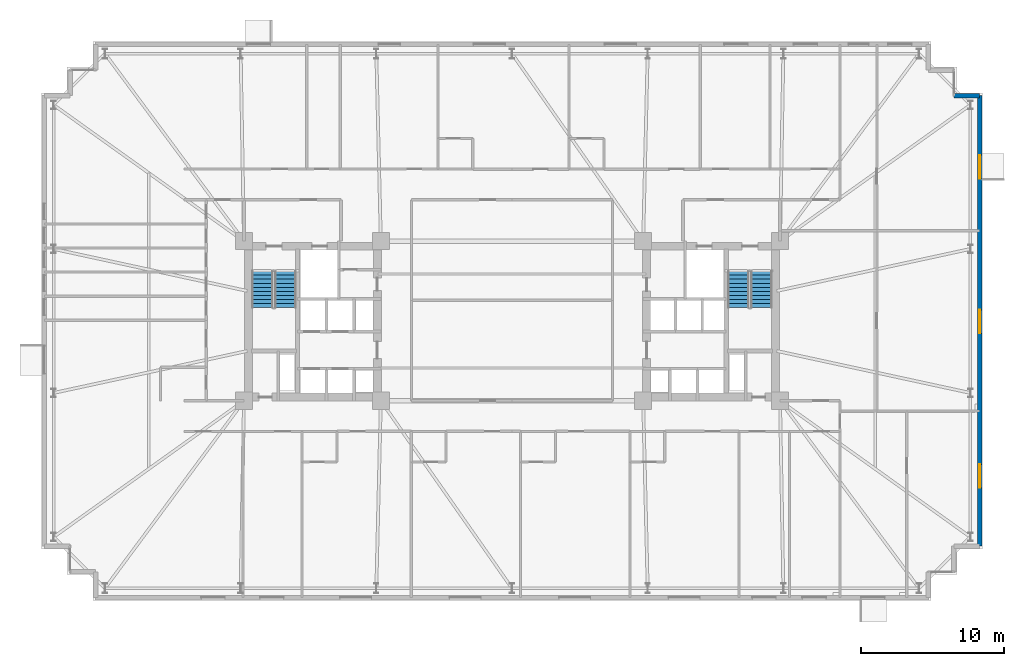
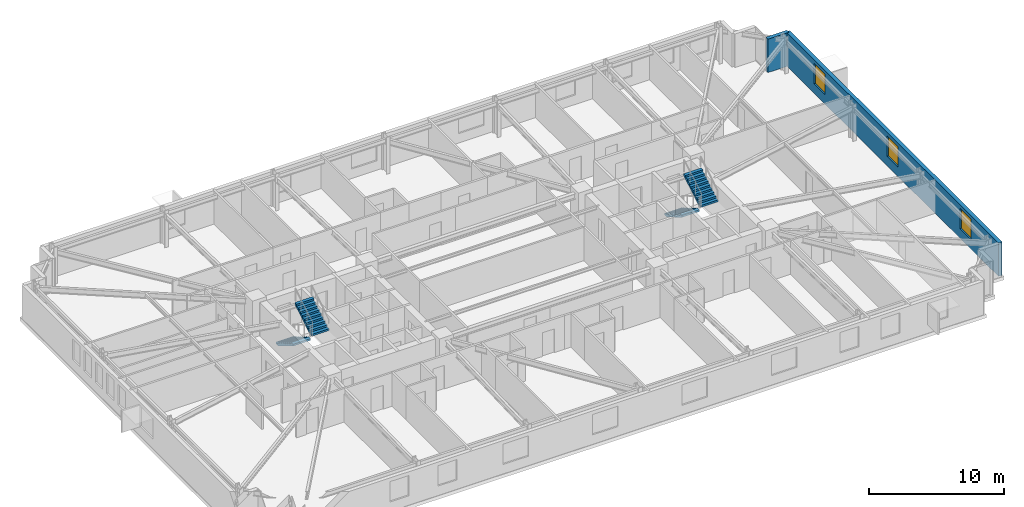
# One storey, part 19 of 21: 4 stair flights, 3 windows, 2 walls, 3 openings, 2 elements without a shape of their own.
"""IFC4 building model written with IfcOpenShell, lengths in metres."""

from ifc_helpers import new_model, si_unit, direction, frame, frame_2d, origin, place, context, subcontext, project, spatial, polyline, rectangle, outline, extrude, material, layer, layer_set, type_object, element, fill, aggregate, save


model = new_model("IFC4")

# Units and contexts
model_context = context("Model", 3, precision=1e-05, world=origin(), true_north=direction((0.0, 1.0)))
body_context = subcontext(model_context, "Body", "Model", "MODEL_VIEW")
ifc_project = project(units=[si_unit("LENGTHUNIT", "METRE"), si_unit("AREAUNIT", "SQUARE_METRE"), si_unit("VOLUMEUNIT", "CUBIC_METRE"), si_unit("PLANEANGLEUNIT", "RADIAN"), si_unit("MASSUNIT", "GRAM", prefix="KILO")], contexts=[model_context])

# Site, building, storey
site_placement = place(None, origin())
site = spatial("IfcSite", under=ifc_project, at=site_placement, CompositionType="ELEMENT")
building_placement = place(site_placement, origin())
building = spatial("IfcBuilding", under=site, at=building_placement, Name="Qobustan Lattice House", CompositionType="ELEMENT")
storey_placement = place(building_placement, frame((0.0, 0.0, 40.39990234375)))
storey = spatial("IfcBuildingStorey", under=building, at=storey_placement, Name="L10", CompositionType="ELEMENT", Elevation=40.39990234375)

# Wall
ifc_material_1 = material(Name="Precast concrete C40/50", Category="concrete")
ifc_layer = layer(ifc_material_1, 0.320068359375)
ifc_layer_set = layer_set([ifc_layer], Name="Precast concrete C40/50")
wall_type = type_object("IfcWallType", Name="WAL-EXT-STONE-320", PredefinedType="SOLIDWALL", material=ifc_layer_set)
wall_1_placement = place(storey_placement, frame((31.0, 15.800048828125, 0.0), z_axis=(0.0, 0.0, 1.0), x_axis=(1.0, 0.0, 0.0)))
element("IfcWall", 1, at=wall_1_placement, inside=storey, type_object=wall_type, Name="L10 exterior limestone-clad wall 14", PredefinedType="SOLIDWALL", context=body_context, shape_type="SweptSolid", body=[
    extrude(rectangle(XDim=1.800048828125, YDim=0.320068359375, at=frame_2d((0.89990234375, 0.0))), origin(), (0.0, 0.0, 1.0), 3.03515625),
])

# Wall, openings, windows
wall_2_placement = place(storey_placement, frame((32.800048828125, 15.800048828125, 0.0), z_axis=(0.0, 0.0, 1.0), x_axis=(0.0, -1.0, 0.0)))
wall_2 = element("IfcWall", 2, at=wall_2_placement, inside=storey, type_object=wall_type, Name="L10 exterior limestone-clad wall 15", PredefinedType="SOLIDWALL", context=body_context, shape_type="SweptSolid", body=[
    extrude(rectangle(XDim=31.60009765625, YDim=0.320068359375, at=frame_2d((15.800048828125, 0.0))), origin(), (0.0, 0.0, 1.0), 3.03515625),
])
opening_1_placement = place(wall_2_placement, frame((4.175048828125, 0.0, 0.85009765625)))
opening_1 = element("IfcOpeningElement", 3, at=opening_1_placement, cuts=wall_2, Name="Opening WN-09", PredefinedType="OPENING", context=body_context, shape_type="SweptSolid", body=[
    extrude(rectangle(XDim=1.64990234375, YDim=1.85009765625, at=frame_2d((0.824951171875, 0.925048828125))), frame((0.0, 0.169921875, 0.0), z_axis=(0.0, -1.0, 0.0), x_axis=(1.0, 0.0, 0.0)), (0.0, 0.0, 1.0), 0.340087890625),
])
opening_2_placement = place(wall_2_placement, frame((15.014892578125, 0.0, 0.85009765625)))
opening_2 = element("IfcOpeningElement", 4, at=opening_2_placement, cuts=wall_2, Name="Opening WN-09", PredefinedType="OPENING", context=body_context, shape_type="SweptSolid", body=[
    extrude(rectangle(XDim=1.64990234375, YDim=1.85009765625, at=frame_2d((0.824951171875, 0.925048828125))), frame((0.0, 0.169921875, 0.0), z_axis=(0.0, -1.0, 0.0), x_axis=(1.0, 0.0, 0.0)), (0.0, 0.0, 1.0), 0.340087890625),
])
opening_3_placement = place(wall_2_placement, frame((25.85498046875, 0.0, 0.85009765625)))
opening_3 = element("IfcOpeningElement", 5, at=opening_3_placement, cuts=wall_2, Name="Opening WN-09", PredefinedType="OPENING", context=body_context, shape_type="SweptSolid", body=[
    extrude(rectangle(XDim=1.64990234375, YDim=1.85009765625, at=frame_2d((0.824951171875, 0.925048828125))), frame((0.0, 0.169921875, 0.0), z_axis=(0.0, -1.0, 0.0), x_axis=(1.0, 0.0, 0.0)), (0.0, 0.0, 1.0), 0.340087890625),
])
ifc_material_2 = material(Name="Double-glazed low-E aluminium window", Category="aluminium")
window_type = type_object("IfcWindowType", Name="WIN-STU-1650x1850", PartitioningType="SINGLE_PANEL", PredefinedType="WINDOW", material=ifc_material_2)
window_1_placement = place(opening_1_placement, origin())
window_1 = element("IfcWindow", 6, at=window_1_placement, inside=storey, type_object=window_type, Name="L10 Focus study room E3B window", OverallHeight=1.85009765625, OverallWidth=1.64990234375, PartitioningType="SINGLE_PANEL", PredefinedType="WINDOW", context=body_context, shape_type="SweptSolid", body=[
    extrude(rectangle(XDim=1.64990234375, YDim=1.85009765625, at=frame_2d((0.824951171875, 0.925048828125))), frame((0.0, 0.030029296875, 0.0), z_axis=(0.0, -1.0, 0.0), x_axis=(1.0, 0.0, 0.0)), (0.0, 0.0, 1.0), 0.06005859375),
])
fill(opening_1, window_1)
window_2_placement = place(opening_2_placement, origin())
window_2 = element("IfcWindow", 7, at=window_2_placement, inside=storey, type_object=window_type, Name="L10 Focus study room E2B window", OverallHeight=1.85009765625, OverallWidth=1.64990234375, PartitioningType="SINGLE_PANEL", PredefinedType="WINDOW", context=body_context, shape_type="SweptSolid", body=[
    extrude(rectangle(XDim=1.64990234375, YDim=1.85009765625, at=frame_2d((0.824951171875, 0.925048828125))), frame((0.0, 0.030029296875, 0.0), z_axis=(0.0, -1.0, 0.0), x_axis=(1.0, 0.0, 0.0)), (0.0, 0.0, 1.0), 0.06005859375),
])
fill(opening_2, window_2)
window_3_placement = place(opening_3_placement, origin())
window_3 = element("IfcWindow", 8, at=window_3_placement, inside=storey, type_object=window_type, Name="L10 Focus study room E1B window", OverallHeight=1.85009765625, OverallWidth=1.64990234375, PartitioningType="SINGLE_PANEL", PredefinedType="WINDOW", context=body_context, shape_type="SweptSolid", body=[
    extrude(rectangle(XDim=1.64990234375, YDim=1.85009765625, at=frame_2d((0.824951171875, 0.925048828125))), frame((0.0, 0.030029296875, 0.0), z_axis=(0.0, -1.0, 0.0), x_axis=(1.0, 0.0, 0.0)), (0.0, 0.0, 1.0), 0.06005859375),
])
fill(opening_3, window_3)

# Stair, stair flights
ifc_material_3 = material(Name="Concrete C40/50", Category="concrete")
stair_type = type_object("IfcStairType", Name="STR-CORE-DOGLEG", PredefinedType="HALF_TURN_STAIR", material=ifc_material_3)
stair_1_placement = place(storey_placement, origin())
stair_1 = element("IfcStair", 9, at=stair_1_placement, inside=storey, type_object=stair_type, Name="L10 West protected exit stair ST-W1", PredefinedType="HALF_TURN_STAIR")
ifc_material_4 = material(Name="Concrete C40/50", Category="concrete")
stair_flight_type = type_object("IfcStairFlightType", Name="SFL-RC-1500", PredefinedType="STRAIGHT", material=ifc_material_4)
stair_flight_1_placement = place(storey_placement, frame((-17.5, 3.5, 0.0), z_axis=(0.0, 0.0, 1.0), x_axis=(0.0, -1.0, 0.0)))
stair_flight_1 = element("IfcStairFlight", 10, at=stair_flight_1_placement, type_object=stair_flight_type, Name="ST-W1 flight 1", NumberOfRisers=10, NumberOfTreads=9, PredefinedType="STRAIGHT", RiserHeight=0.1675, TreadLength=0.285, context=body_context, shape_type="SweptSolid", body=[
    extrude(outline(polyline([(0.0, 0.0), (0.0, 0.16748046875), (0.284912109375, 0.16748046875), (0.284912109375, 0.3349609375), (0.570068359375, 0.3349609375), (0.570068359375, 0.50244140625), (0.85498046875, 0.50244140625), (0.85498046875, 0.669921875), (1.139892578125, 0.669921875), (1.139892578125, 0.83740234375), (1.425048828125, 0.83740234375), (1.425048828125, 1.0048828125), (1.7099609375, 1.0048828125), (1.7099609375, 1.172607421875), (1.9951171875, 1.172607421875), (1.9951171875, 1.340087890625), (2.280029296875, 1.340087890625), (2.280029296875, 1.507568359375), (2.56494140625, 1.507568359375), (2.56494140625, 1.675048828125), (2.56494140625, 1.333740234375), (0.2958984375, 0.0), (0.0, 0.0)])), frame((0.0, 0.75, 0.0), z_axis=(0.0, -1.0, 0.0), x_axis=(1.0, 0.0, 0.0)), (0.0, 0.0, 1.0), 1.5),
])
stair_flight_2_placement = place(storey_placement, frame((-15.8798828125, 0.93505859375, 1.675048828125), z_axis=(0.0, 0.0, 1.0), x_axis=(0.0, 1.0, 0.0)))
stair_flight_2 = element("IfcStairFlight", 11, at=stair_flight_2_placement, type_object=stair_flight_type, Name="ST-W1 flight 2", NumberOfRisers=10, NumberOfTreads=9, PredefinedType="STRAIGHT", RiserHeight=0.1675, TreadLength=0.285, context=body_context, shape_type="SweptSolid", body=[
    extrude(outline(polyline([(0.0, 0.0), (0.0, 0.16748046875), (0.284912109375, 0.16748046875), (0.284912109375, 0.3349609375), (0.570068359375, 0.3349609375), (0.570068359375, 0.50244140625), (0.85498046875, 0.50244140625), (0.85498046875, 0.669921875), (1.139892578125, 0.669921875), (1.139892578125, 0.83740234375), (1.425048828125, 0.83740234375), (1.425048828125, 1.0048828125), (1.7099609375, 1.0048828125), (1.7099609375, 1.172607421875), (1.9951171875, 1.172607421875), (1.9951171875, 1.340087890625), (2.280029296875, 1.340087890625), (2.280029296875, 1.507568359375), (2.56494140625, 1.507568359375), (2.56494140625, 1.675048828125), (2.56494140625, 1.333740234375), (0.2958984375, 0.0), (0.0, 0.0)])), frame((0.0, 0.75, 0.0), z_axis=(0.0, -1.0, 0.0), x_axis=(1.0, 0.0, 0.0)), (0.0, 0.0, 1.0), 1.5),
])
aggregate(stair_1, [stair_flight_1, stair_flight_2])

stair_2_placement = place(storey_placement, origin())
stair_2 = element("IfcStair", 12, at=stair_2_placement, inside=storey, type_object=stair_type, Name="L10 East protected exit stair ST-E1", PredefinedType="HALF_TURN_STAIR")
stair_flight_3_placement = place(storey_placement, frame((15.8798828125, 3.5, 0.0), z_axis=(0.0, 0.0, 1.0), x_axis=(0.0, -1.0, 0.0)))
stair_flight_3 = element("IfcStairFlight", 13, at=stair_flight_3_placement, type_object=stair_flight_type, Name="ST-E1 flight 1", NumberOfRisers=10, NumberOfTreads=9, PredefinedType="STRAIGHT", RiserHeight=0.1675, TreadLength=0.285, context=body_context, shape_type="SweptSolid", body=[
    extrude(outline(polyline([(0.0, 0.0), (0.0, 0.16748046875), (0.284912109375, 0.16748046875), (0.284912109375, 0.3349609375), (0.570068359375, 0.3349609375), (0.570068359375, 0.50244140625), (0.85498046875, 0.50244140625), (0.85498046875, 0.669921875), (1.139892578125, 0.669921875), (1.139892578125, 0.83740234375), (1.425048828125, 0.83740234375), (1.425048828125, 1.0048828125), (1.7099609375, 1.0048828125), (1.7099609375, 1.172607421875), (1.9951171875, 1.172607421875), (1.9951171875, 1.340087890625), (2.280029296875, 1.340087890625), (2.280029296875, 1.507568359375), (2.56494140625, 1.507568359375), (2.56494140625, 1.675048828125), (2.56494140625, 1.333740234375), (0.2958984375, 0.0), (0.0, 0.0)])), frame((0.0, 0.75, 0.0), z_axis=(0.0, -1.0, 0.0), x_axis=(1.0, 0.0, 0.0)), (0.0, 0.0, 1.0), 1.5),
])
stair_flight_4_placement = place(storey_placement, frame((17.5, 0.93505859375, 1.675048828125), z_axis=(0.0, 0.0, 1.0), x_axis=(0.0, 1.0, 0.0)))
stair_flight_4 = element("IfcStairFlight", 14, at=stair_flight_4_placement, type_object=stair_flight_type, Name="ST-E1 flight 2", NumberOfRisers=10, NumberOfTreads=9, PredefinedType="STRAIGHT", RiserHeight=0.1675, TreadLength=0.285, context=body_context, shape_type="SweptSolid", body=[
    extrude(outline(polyline([(0.0, 0.0), (0.0, 0.16748046875), (0.284912109375, 0.16748046875), (0.284912109375, 0.3349609375), (0.570068359375, 0.3349609375), (0.570068359375, 0.50244140625), (0.85498046875, 0.50244140625), (0.85498046875, 0.669921875), (1.139892578125, 0.669921875), (1.139892578125, 0.83740234375), (1.425048828125, 0.83740234375), (1.425048828125, 1.0048828125), (1.7099609375, 1.0048828125), (1.7099609375, 1.172607421875), (1.9951171875, 1.172607421875), (1.9951171875, 1.340087890625), (2.280029296875, 1.340087890625), (2.280029296875, 1.507568359375), (2.56494140625, 1.507568359375), (2.56494140625, 1.675048828125), (2.56494140625, 1.333740234375), (0.2958984375, 0.0), (0.0, 0.0)])), frame((0.0, 0.75, 0.0), z_axis=(0.0, -1.0, 0.0), x_axis=(1.0, 0.0, 0.0)), (0.0, 0.0, 1.0), 1.5),
])
aggregate(stair_2, [stair_flight_3, stair_flight_4])

save(model, "model.ifc")
